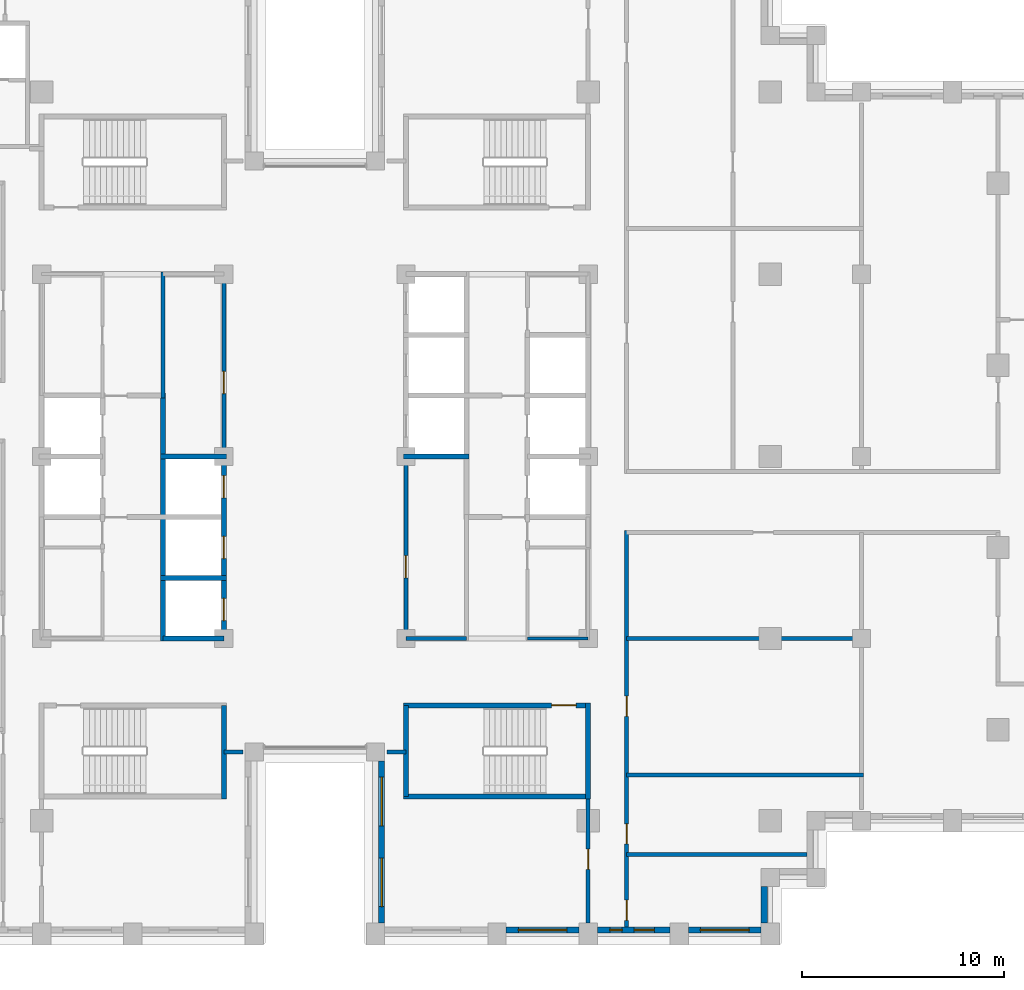
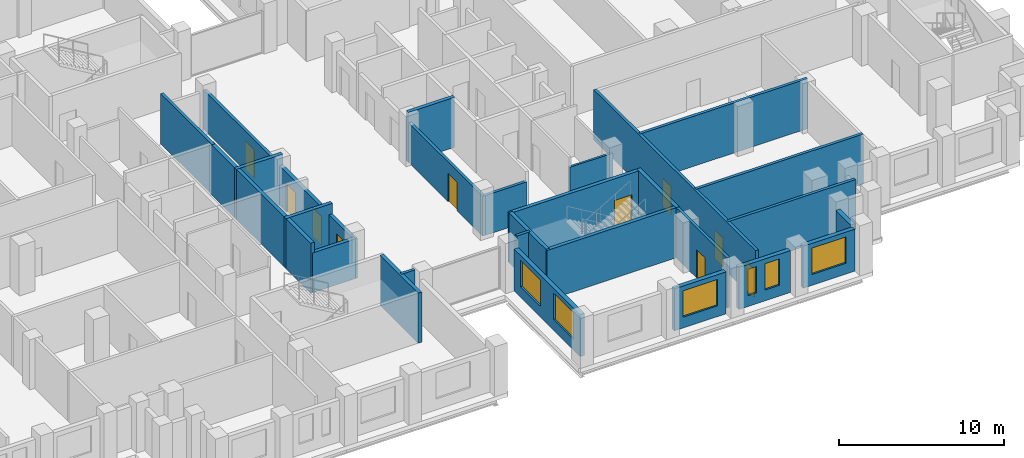
# One storey, part 8 of 15: 28 walls, 10 doors, 6 windows, 16 openings.
"""IFC4 building model written with IfcOpenShell, lengths in metres."""

from ifc_helpers import new_model, si_unit, direction, frame, frame_2d, origin, place, context, subcontext, project, spatial, rectangle, extrude, material, layer, layer_set, type_object, element, fill, save


model = new_model("IFC4")

# Units and contexts
model_context = context("Model", 3, precision=1e-05, world=origin(), true_north=direction((0.0, 1.0)))
body_context = subcontext(model_context, "Body", "Model", "MODEL_VIEW")
ifc_project = project(units=[si_unit("LENGTHUNIT", "METRE"), si_unit("AREAUNIT", "SQUARE_METRE"), si_unit("VOLUMEUNIT", "CUBIC_METRE"), si_unit("PLANEANGLEUNIT", "RADIAN"), si_unit("MASSUNIT", "GRAM", prefix="KILO")], contexts=[model_context])

# Site, building, storey
site_placement = place(None, origin())
site = spatial("IfcSite", under=ifc_project, at=site_placement, CompositionType="ELEMENT")
building_placement = place(site_placement, origin())
building = spatial("IfcBuilding", under=site, at=building_placement, Name="Corbelhall Arena Tower", CompositionType="ELEMENT")
storey_placement = place(building_placement, frame((0.0, 0.0, 162.0)))
storey = spatial("IfcBuildingStorey", under=building, at=storey_placement, Name="L32", CompositionType="ELEMENT", Elevation=162.0)

# Wall, openings, windows
ifc_material_1 = material(Name="Precast concrete C40/50 with granite facing", Category="masonry")
ifc_layer_1 = layer(ifc_material_1, 0.300048828125)
ifc_layer_set_1 = layer_set([ifc_layer_1], Name="EV-IW1 Infill panel 300")
wall_type_1 = type_object("IfcWallType", Name="EV-IW1 Infill panel 300", PredefinedType="SOLIDWALL", material=ifc_layer_set_1)
wall_1_placement = place(storey_placement, frame((3.300048828125, -15.050048828125, 0.0), z_axis=(0.0, 0.0, 1.0), x_axis=(0.0, -1.0, 0.0)))
wall_1 = element("IfcWall", 1, at=wall_1_placement, inside=storey, type_object=wall_type_1, Name="Infill panel IW1", PredefinedType="SOLIDWALL", context=body_context, shape_type="SweptSolid", body=[
    extrude(rectangle(XDim=8.0, YDim=0.300048828125, at=frame_2d((4.0, 0.0))), origin(), (0.0, 0.0, 1.0), 3.10009765625),
])
opening_1_placement = place(wall_1_placement, frame((0.800048828125, 0.0, 0.800048828125)))
opening_1 = element("IfcOpeningElement", 2, at=opening_1_placement, cuts=wall_1, Name="Opening WN1", PredefinedType="OPENING", context=body_context, shape_type="SweptSolid", body=[
    extrude(rectangle(XDim=2.39990234375, YDim=1.949951171875, at=frame_2d((1.199951171875, 0.97509765625))), frame((0.0, 0.14990234375, 0.0), z_axis=(0.0, -1.0, 0.0), x_axis=(1.0, 0.0, 0.0)), (0.0, 0.0, 1.0), 0.300048828125),
])
opening_2_placement = place(wall_1_placement, frame((4.800048828125, 0.0, 0.800048828125)))
opening_2 = element("IfcOpeningElement", 3, at=opening_2_placement, cuts=wall_1, Name="Opening WN1", PredefinedType="OPENING", context=body_context, shape_type="SweptSolid", body=[
    extrude(rectangle(XDim=2.39990234375, YDim=1.949951171875, at=frame_2d((1.199951171875, 0.97509765625))), frame((0.0, 0.14990234375, 0.0), z_axis=(0.0, -1.0, 0.0), x_axis=(1.0, 0.0, 0.0)), (0.0, 0.0, 1.0), 0.300048828125),
])
ifc_material_2 = material(Name="Aluminium black anodised", Category="aluminium")
window_type_1 = type_object("IfcWindowType", Name="EV-WN1 Office window", PartitioningType="SINGLE_PANEL", PredefinedType="WINDOW", material=ifc_material_2)
window_1_placement = place(opening_1_placement, origin())
window_1 = element("IfcWindow", 4, at=window_1_placement, inside=storey, type_object=window_type_1, Name="Window WN1", OverallHeight=1.949951171875, OverallWidth=2.39990234375, PartitioningType="SINGLE_PANEL", PredefinedType="WINDOW", context=body_context, shape_type="SweptSolid", body=[
    extrude(rectangle(XDim=2.39990234375, YDim=1.949951171875, at=frame_2d((1.199951171875, 0.97509765625))), frame((0.0, 0.030029296875, 0.0), z_axis=(0.0, -1.0, 0.0), x_axis=(1.0, 0.0, 0.0)), (0.0, 0.0, 1.0), 0.06005859375),
])
fill(opening_1, window_1)
window_2_placement = place(opening_2_placement, origin())
window_2 = element("IfcWindow", 5, at=window_2_placement, inside=storey, type_object=window_type_1, Name="Window WN1", OverallHeight=1.949951171875, OverallWidth=2.39990234375, PartitioningType="SINGLE_PANEL", PredefinedType="WINDOW", context=body_context, shape_type="SweptSolid", body=[
    extrude(rectangle(XDim=2.39990234375, YDim=1.949951171875, at=frame_2d((1.199951171875, 0.97509765625))), frame((0.0, 0.030029296875, 0.0), z_axis=(0.0, -1.0, 0.0), x_axis=(1.0, 0.0, 0.0)), (0.0, 0.0, 1.0), 0.06005859375),
])
fill(opening_2, window_2)

# Wall, opening, window
wall_2_placement = place(storey_placement, frame((9.449951171875, -23.39990234375, 0.0), z_axis=(0.0, 0.0, 1.0), x_axis=(1.0, 0.0, 0.0)))
wall_2 = element("IfcWall", 6, at=wall_2_placement, inside=storey, type_object=wall_type_1, Name="Infill panel IW1", PredefinedType="SOLIDWALL", context=body_context, shape_type="SweptSolid", body=[
    extrude(rectangle(XDim=3.60009765625, YDim=0.300048828125, at=frame_2d((1.800048828125, 0.0))), origin(), (0.0, 0.0, 1.0), 3.10009765625),
])
opening_3_placement = place(wall_2_placement, frame((0.60009765625, 0.0, 0.800048828125)))
opening_3 = element("IfcOpeningElement", 7, at=opening_3_placement, cuts=wall_2, Name="Opening WN1", PredefinedType="OPENING", context=body_context, shape_type="SweptSolid", body=[
    extrude(rectangle(XDim=2.39990234375, YDim=1.949951171875, at=frame_2d((1.199951171875, 0.97509765625))), frame((0.0, 0.14990234375, 0.0), z_axis=(0.0, -1.0, 0.0), x_axis=(1.0, 0.0, 0.0)), (0.0, 0.0, 1.0), 0.300048828125),
])
window_3_placement = place(opening_3_placement, origin())
window_3 = element("IfcWindow", 8, at=window_3_placement, inside=storey, type_object=window_type_1, Name="Window WN1", OverallHeight=1.949951171875, OverallWidth=2.39990234375, PartitioningType="SINGLE_PANEL", PredefinedType="WINDOW", context=body_context, shape_type="SweptSolid", body=[
    extrude(rectangle(XDim=2.39990234375, YDim=1.949951171875, at=frame_2d((1.199951171875, 0.97509765625))), frame((0.0, 0.030029296875, 0.0), z_axis=(0.0, -1.0, 0.0), x_axis=(1.0, 0.0, 0.0)), (0.0, 0.0, 1.0), 0.06005859375),
])
fill(opening_3, window_3)

# Wall, openings, windows
wall_3_placement = place(storey_placement, frame((13.949951171875, -23.39990234375, 0.0), z_axis=(0.0, 0.0, 1.0), x_axis=(1.0, 0.0, 0.0)))
wall_3 = element("IfcWall", 9, at=wall_3_placement, inside=storey, type_object=wall_type_1, Name="Infill panel IW1", PredefinedType="SOLIDWALL", context=body_context, shape_type="SweptSolid", body=[
    extrude(rectangle(XDim=3.60009765625, YDim=0.300048828125, at=frame_2d((1.800048828125, 0.0))), origin(), (0.0, 0.0, 1.0), 3.10009765625),
])
opening_4_placement = place(wall_3_placement, frame((0.625, 0.0, 0.800048828125)))
opening_4 = element("IfcOpeningElement", 10, at=opening_4_placement, cuts=wall_3, Name="Opening WN5", PredefinedType="OPENING", context=body_context, shape_type="SweptSolid", body=[
    extrude(rectangle(XDim=0.60009765625, YDim=1.949951171875, at=frame_2d((0.300048828125, 0.97509765625))), frame((0.0, 0.14990234375, 0.0), z_axis=(0.0, -1.0, 0.0), x_axis=(1.0, 0.0, 0.0)), (0.0, 0.0, 1.0), 0.300048828125),
])
opening_5_placement = place(wall_3_placement, frame((1.824951171875, 0.0, 0.800048828125)))
opening_5 = element("IfcOpeningElement", 11, at=opening_5_placement, cuts=wall_3, Name="Opening WN6", PredefinedType="OPENING", context=body_context, shape_type="SweptSolid", body=[
    extrude(rectangle(XDim=1.0, YDim=1.949951171875, at=frame_2d((0.5, 0.97509765625))), frame((0.0, 0.14990234375, 0.0), z_axis=(0.0, -1.0, 0.0), x_axis=(1.0, 0.0, 0.0)), (0.0, 0.0, 1.0), 0.300048828125),
])
window_type_2 = type_object("IfcWindowType", Name="EV-WN5 Office window 600", PartitioningType="SINGLE_PANEL", PredefinedType="WINDOW", material=ifc_material_2)
window_4_placement = place(opening_4_placement, origin())
window_4 = element("IfcWindow", 12, at=window_4_placement, inside=storey, type_object=window_type_2, Name="Window WN5", OverallHeight=1.949951171875, OverallWidth=0.60009765625, PartitioningType="SINGLE_PANEL", PredefinedType="WINDOW", context=body_context, shape_type="SweptSolid", body=[
    extrude(rectangle(XDim=0.60009765625, YDim=1.949951171875, at=frame_2d((0.300048828125, 0.97509765625))), frame((0.0, 0.030029296875, 0.0), z_axis=(0.0, -1.0, 0.0), x_axis=(1.0, 0.0, 0.0)), (0.0, 0.0, 1.0), 0.06005859375),
])
fill(opening_4, window_4)
window_type_3 = type_object("IfcWindowType", Name="EV-WN6 Office window 1000", PartitioningType="SINGLE_PANEL", PredefinedType="WINDOW", material=ifc_material_2)
window_5_placement = place(opening_5_placement, origin())
window_5 = element("IfcWindow", 13, at=window_5_placement, inside=storey, type_object=window_type_3, Name="Window WN6", OverallHeight=1.949951171875, OverallWidth=1.0, PartitioningType="SINGLE_PANEL", PredefinedType="WINDOW", context=body_context, shape_type="SweptSolid", body=[
    extrude(rectangle(XDim=1.0, YDim=1.949951171875, at=frame_2d((0.5, 0.97509765625))), frame((0.0, 0.030029296875, 0.0), z_axis=(0.0, -1.0, 0.0), x_axis=(1.0, 0.0, 0.0)), (0.0, 0.0, 1.0), 0.06005859375),
])
fill(opening_5, window_5)

# Wall, opening, window
wall_4_placement = place(storey_placement, frame((18.449951171875, -23.39990234375, 0.0), z_axis=(0.0, 0.0, 1.0), x_axis=(1.0, 0.0, 0.0)))
wall_4 = element("IfcWall", 14, at=wall_4_placement, inside=storey, type_object=wall_type_1, Name="Infill panel IW1", PredefinedType="SOLIDWALL", context=body_context, shape_type="SweptSolid", body=[
    extrude(rectangle(XDim=3.60009765625, YDim=0.300048828125, at=frame_2d((1.800048828125, 0.0))), origin(), (0.0, 0.0, 1.0), 3.10009765625),
])
opening_6_placement = place(wall_4_placement, frame((0.60009765625, 0.0, 0.800048828125)))
opening_6 = element("IfcOpeningElement", 15, at=opening_6_placement, cuts=wall_4, Name="Opening WN1", PredefinedType="OPENING", context=body_context, shape_type="SweptSolid", body=[
    extrude(rectangle(XDim=2.39990234375, YDim=1.949951171875, at=frame_2d((1.199951171875, 0.97509765625))), frame((0.0, 0.14990234375, 0.0), z_axis=(0.0, -1.0, 0.0), x_axis=(1.0, 0.0, 0.0)), (0.0, 0.0, 1.0), 0.300048828125),
])
window_6_placement = place(opening_6_placement, origin())
window_6 = element("IfcWindow", 16, at=window_6_placement, inside=storey, type_object=window_type_1, Name="Window WN1", OverallHeight=1.949951171875, OverallWidth=2.39990234375, PartitioningType="SINGLE_PANEL", PredefinedType="WINDOW", context=body_context, shape_type="SweptSolid", body=[
    extrude(rectangle(XDim=2.39990234375, YDim=1.949951171875, at=frame_2d((1.199951171875, 0.97509765625))), frame((0.0, 0.030029296875, 0.0), z_axis=(0.0, -1.0, 0.0), x_axis=(1.0, 0.0, 0.0)), (0.0, 0.0, 1.0), 0.06005859375),
])
fill(opening_6, window_6)

# Walls
wall_5_placement = place(storey_placement, frame((22.199951171875, -23.050048828125, 0.0), z_axis=(0.0, 0.0, 1.0), x_axis=(0.0, 1.0, 0.0)))
element("IfcWall", 17, at=wall_5_placement, inside=storey, type_object=wall_type_1, Name="Infill panel IW1", PredefinedType="SOLIDWALL", context=body_context, shape_type="SweptSolid", body=[
    extrude(rectangle(XDim=1.800048828125, YDim=0.300048828125, at=frame_2d((0.89990234375, 0.0))), origin(), (0.0, 0.0, 1.0), 3.10009765625),
])
ifc_material_3 = material(Name="Gypsum board on steel stud, acoustic", Category="steel")
ifc_layer_2 = layer(ifc_material_3, 0.199951171875)
ifc_layer_set_2 = layer_set([ifc_layer_2], Name="IN-W-DM200")
wall_type_2 = type_object("IfcWallType", Name="IN-W-DM200", PredefinedType="PARTITIONING", material=ifc_layer_set_2)
for number, where, z_axis, x_axis, name in (
    (18, (-3.550048828125, -14.60009765625, 0.0), (0.0, 0.0, 1.0), (-1.0, 0.0, 0.0), "Partition 024"),
    (19, (4.5, -14.60009765625, 0.0), (0.0, 0.0, 1.0), (-1.0, 0.0, 0.0), "Partition 026"),
):
    element("IfcWall", number, at=place(storey_placement, frame(where, z_axis=z_axis, x_axis=x_axis)), inside=storey, type_object=wall_type_2, Name=name, PredefinedType="PARTITIONING", context=body_context, shape_type="SweptSolid", body=[
        extrude(rectangle(XDim=0.949951171875, YDim=0.199951171875, at=frame_2d((0.47509765625, 0.0))), origin(), (0.0, 0.0, 1.0), 3.699951171875),
    ])

# Wall, opening, door
wall_6_placement = place(storey_placement, frame((13.5, -23.050048828125, 0.0), z_axis=(0.0, 0.0, 1.0), x_axis=(0.0, 1.0, 0.0)))
wall_6 = element("IfcWall", 20, at=wall_6_placement, inside=storey, type_object=wall_type_2, Name="Partition 027", PredefinedType="PARTITIONING", context=body_context, shape_type="SweptSolid", body=[
    extrude(rectangle(XDim=6.375, YDim=0.199951171875, at=frame_2d((3.1875, 0.0))), origin(), (0.0, 0.0, 1.0), 3.699951171875),
])
opening_7_placement = place(wall_6_placement, frame((2.64990234375, 0.0, 0.0)))
opening_7 = element("IfcOpeningElement", 21, at=opening_7_placement, cuts=wall_6, Name="Opening 09023", PredefinedType="OPENING", context=body_context, shape_type="SweptSolid", body=[
    extrude(rectangle(XDim=1.0, YDim=2.10009765625, at=frame_2d((0.5, 1.050048828125))), frame((0.0, 0.10009765625, 0.0), z_axis=(0.0, -1.0, 0.0), x_axis=(1.0, 0.0, 0.0)), (0.0, 0.0, 1.0), 0.199951171875),
])
ifc_material_4 = material(Name="Steel door set", Category="steel")
door_type_1 = type_object("IfcDoorType", Name="IN-D-SW100", OperationType="NOTDEFINED", PredefinedType="DOOR", material=ifc_material_4)
door_1_placement = place(opening_7_placement, origin())
door_1 = element("IfcDoor", 22, at=door_1_placement, inside=storey, type_object=door_type_1, Name="Door 023", OperationType="SINGLE_SWING_RIGHT", OverallHeight=2.10009765625, OverallWidth=1.0, PredefinedType="DOOR", context=body_context, shape_type="SweptSolid", body=[
    extrude(rectangle(XDim=1.0, YDim=2.10009765625, at=frame_2d((0.5, 1.050048828125))), frame((0.0, 0.02490234375, 0.0), z_axis=(0.0, -1.0, 0.0), x_axis=(1.0, 0.0, 0.0)), (0.0, 0.0, 1.0), 0.050048828125),
])
fill(opening_7, door_1)

# Wall
wall_7_placement = place(storey_placement, frame((15.39990234375, -19.675048828125, 0.0), z_axis=(0.0, 0.0, 1.0), x_axis=(1.0, 0.0, 0.0)))
element("IfcWall", 23, at=wall_7_placement, inside=storey, type_object=wall_type_2, Name="Partition 029", PredefinedType="PARTITIONING", context=body_context, shape_type="SweptSolid", body=[
    extrude(rectangle(XDim=8.900146484375, YDim=0.199951171875, at=frame_2d((4.4501953125, 0.0))), origin(), (0.0, 0.0, 1.0), 3.699951171875),
])

# Wall, openings, doors
wall_8_placement = place(storey_placement, frame((15.39990234375, -3.64990234375, 0.0), z_axis=(0.0, 0.0, 1.0), x_axis=(0.0, -1.0, 0.0)))
wall_8 = element("IfcWall", 24, at=wall_8_placement, inside=storey, type_object=wall_type_2, Name="Partition 030", PredefinedType="PARTITIONING", context=body_context, shape_type="SweptSolid", body=[
    extrude(rectangle(XDim=19.60009765625, YDim=0.199951171875, at=frame_2d((9.800048828125, 0.0))), origin(), (0.0, 0.0, 1.0), 3.699951171875),
])
opening_8_placement = place(wall_8_placement, frame((18.27490234375, 0.0, 0.0)))
opening_8 = element("IfcOpeningElement", 25, at=opening_8_placement, cuts=wall_8, Name="Opening 09035", PredefinedType="OPENING", context=body_context, shape_type="SweptSolid", body=[
    extrude(rectangle(XDim=1.0, YDim=2.10009765625, at=frame_2d((0.5, 1.050048828125))), frame((0.0, 0.10009765625, 0.0), z_axis=(0.0, -1.0, 0.0), x_axis=(1.0, 0.0, 0.0)), (0.0, 0.0, 1.0), 0.199951171875),
])
opening_9_placement = place(wall_8_placement, frame((14.5, 0.0, 0.0)))
opening_9 = element("IfcOpeningElement", 26, at=opening_9_placement, cuts=wall_8, Name="Opening 09036", PredefinedType="OPENING", context=body_context, shape_type="SweptSolid", body=[
    extrude(rectangle(XDim=1.0, YDim=2.10009765625, at=frame_2d((0.5, 1.050048828125))), frame((0.0, 0.10009765625, 0.0), z_axis=(0.0, -1.0, 0.0), x_axis=(1.0, 0.0, 0.0)), (0.0, 0.0, 1.0), 0.199951171875),
])
opening_10_placement = place(wall_8_placement, frame((8.199951171875, 0.0, 0.0)))
opening_10 = element("IfcOpeningElement", 27, at=opening_10_placement, cuts=wall_8, Name="Opening 09037", PredefinedType="OPENING", context=body_context, shape_type="SweptSolid", body=[
    extrude(rectangle(XDim=1.0, YDim=2.10009765625, at=frame_2d((0.5, 1.050048828125))), frame((0.0, 0.10009765625, 0.0), z_axis=(0.0, -1.0, 0.0), x_axis=(1.0, 0.0, 0.0)), (0.0, 0.0, 1.0), 0.199951171875),
])
door_2_placement = place(opening_8_placement, origin())
door_2 = element("IfcDoor", 28, at=door_2_placement, inside=storey, type_object=door_type_1, Name="Door 035", OperationType="SINGLE_SWING_RIGHT", OverallHeight=2.10009765625, OverallWidth=1.0, PredefinedType="DOOR", context=body_context, shape_type="SweptSolid", body=[
    extrude(rectangle(XDim=1.0, YDim=2.10009765625, at=frame_2d((0.5, 1.050048828125))), frame((0.0, 0.02490234375, 0.0), z_axis=(0.0, -1.0, 0.0), x_axis=(1.0, 0.0, 0.0)), (0.0, 0.0, 1.0), 0.050048828125),
])
fill(opening_8, door_2)
door_3_placement = place(opening_9_placement, origin())
door_3 = element("IfcDoor", 29, at=door_3_placement, inside=storey, type_object=door_type_1, Name="Door 036", OperationType="SINGLE_SWING_LEFT", OverallHeight=2.10009765625, OverallWidth=1.0, PredefinedType="DOOR", context=body_context, shape_type="SweptSolid", body=[
    extrude(rectangle(XDim=1.0, YDim=2.10009765625, at=frame_2d((0.5, 1.050048828125))), frame((0.0, 0.02490234375, 0.0), z_axis=(0.0, -1.0, 0.0), x_axis=(1.0, 0.0, 0.0)), (0.0, 0.0, 1.0), 0.050048828125),
])
fill(opening_9, door_3)
door_4_placement = place(opening_10_placement, origin())
door_4 = element("IfcDoor", 30, at=door_4_placement, inside=storey, type_object=door_type_1, Name="Door 037", OperationType="SINGLE_SWING_RIGHT", OverallHeight=2.10009765625, OverallWidth=1.0, PredefinedType="DOOR", context=body_context, shape_type="SweptSolid", body=[
    extrude(rectangle(XDim=1.0, YDim=2.10009765625, at=frame_2d((0.5, 1.050048828125))), frame((0.0, 0.02490234375, 0.0), z_axis=(0.0, -1.0, 0.0), x_axis=(1.0, 0.0, 0.0)), (0.0, 0.0, 1.0), 0.050048828125),
])
fill(opening_10, door_4)

# Walls
for number, where, z_axis, x_axis, name in (
    (31, (15.39990234375, -15.75, 0.0), (0.0, 0.0, 1.0), (1.0, 0.0, 0.0), "Partition 031"),
    (32, (15.39990234375, -9.0, 0.0), (0.0, 0.0, 1.0), (1.0, 0.0, 0.0), "Partition 032"),
):
    element("IfcWall", number, at=place(storey_placement, frame(where, z_axis=z_axis, x_axis=x_axis)), inside=storey, type_object=wall_type_2, Name=name, PredefinedType="PARTITIONING", context=body_context, shape_type="SweptSolid", body=[
        extrude(rectangle(XDim=11.7001953125, YDim=0.199951171875, at=frame_2d((5.85009765625, 0.0))), origin(), (0.0, 0.0, 1.0), 3.699951171875),
    ])
ifc_material_5 = material(Name="Concrete block wall", Category="concrete")
ifc_layer_3 = layer(ifc_material_5, 0.199951171875)
ifc_layer_set_3 = layer_set([ifc_layer_3], Name="IN-W-RS200")
wall_type_3 = type_object("IfcWallType", Name="IN-W-RS200", PredefinedType="SOLIDWALL", material=ifc_layer_set_3)
wall_9_placement = place(storey_placement, frame((-7.5, 2.875, 0.0), z_axis=(0.0, 0.0, 1.0), x_axis=(0.0, 1.0, 0.0)))
element("IfcWall", 33, at=wall_9_placement, inside=storey, type_object=wall_type_3, Name="Partition 046", PredefinedType="SOLIDWALL", context=body_context, shape_type="SweptSolid", body=[
    extrude(rectangle(XDim=6.22509765625, YDim=0.199951171875, at=frame_2d((3.112548828125, 0.0))), origin(), (0.0, 0.0, 1.0), 3.699951171875),
])

# Wall, opening, door
ifc_layer_4 = layer(ifc_material_5, 0.199951171875)
ifc_layer_set_4 = layer_set([ifc_layer_4], Name="IN-W-RS200 under beam 762 mm")
wall_type_4 = type_object("IfcWallType", Name="IN-W-RS200 under beam 762 mm", PredefinedType="SOLIDWALL", material=ifc_layer_set_4)
wall_10_placement = place(storey_placement, frame((-4.5, 9.10009765625, 0.0), z_axis=(0.0, 0.0, 1.0), x_axis=(0.0, -1.0, 0.0)))
wall_10 = element("IfcWall", 34, at=wall_10_placement, inside=storey, type_object=wall_type_4, Name="Partition 048", PredefinedType="SOLIDWALL", context=body_context, shape_type="SweptSolid", body=[
    extrude(rectangle(XDim=9.10009765625, YDim=0.199951171875, at=frame_2d((4.550048828125, 0.0))), origin(), (0.0, 0.0, 1.0), 2.93798828125),
])
opening_11_placement = place(wall_10_placement, frame((4.89990234375, 0.0, 0.0)))
opening_11 = element("IfcOpeningElement", 35, at=opening_11_placement, cuts=wall_10, Name="Opening 09001", PredefinedType="OPENING", context=body_context, shape_type="SweptSolid", body=[
    extrude(rectangle(XDim=1.10009765625, YDim=2.10009765625, at=frame_2d((0.550048828125, 1.050048828125))), frame((0.0, 0.10009765625, 0.0), z_axis=(0.0, -1.0, 0.0), x_axis=(1.0, 0.0, 0.0)), (0.0, 0.0, 1.0), 0.199951171875),
])
door_type_2 = type_object("IfcDoorType", Name="IN-D-FD110", OperationType="NOTDEFINED", PredefinedType="DOOR", material=ifc_material_4)
door_5_placement = place(opening_11_placement, origin())
door_5 = element("IfcDoor", 36, at=door_5_placement, inside=storey, type_object=door_type_2, Name="Door 001", OperationType="SINGLE_SWING_RIGHT", OverallHeight=2.10009765625, OverallWidth=1.10009765625, PredefinedType="DOOR", context=body_context, shape_type="SweptSolid", body=[
    extrude(rectangle(XDim=1.10009765625, YDim=2.10009765625, at=frame_2d((0.550048828125, 1.050048828125))), frame((0.0, 0.02490234375, 0.0), z_axis=(0.0, -1.0, 0.0), x_axis=(1.0, 0.0, 0.0)), (0.0, 0.0, 1.0), 0.050048828125),
])
fill(opening_11, door_5)

wall_11_placement = place(storey_placement, frame((4.5, -9.10009765625, 0.0), z_axis=(0.0, 0.0, 1.0), x_axis=(0.0, 1.0, 0.0)))
wall_11 = element("IfcWall", 37, at=wall_11_placement, inside=storey, type_object=wall_type_4, Name="Partition 049", PredefinedType="SOLIDWALL", context=body_context, shape_type="SweptSolid", body=[
    extrude(rectangle(XDim=9.10009765625, YDim=0.199951171875, at=frame_2d((4.550048828125, 0.0))), origin(), (0.0, 0.0, 1.0), 2.93798828125),
])
opening_12_placement = place(wall_11_placement, frame((3.10009765625, 0.0, 0.0)))
opening_12 = element("IfcOpeningElement", 38, at=opening_12_placement, cuts=wall_11, Name="Opening 09007", PredefinedType="OPENING", context=body_context, shape_type="SweptSolid", body=[
    extrude(rectangle(XDim=1.10009765625, YDim=2.10009765625, at=frame_2d((0.550048828125, 1.050048828125))), frame((0.0, 0.10009765625, 0.0), z_axis=(0.0, -1.0, 0.0), x_axis=(1.0, 0.0, 0.0)), (0.0, 0.0, 1.0), 0.199951171875),
])
door_6_placement = place(opening_12_placement, origin())
door_6 = element("IfcDoor", 39, at=door_6_placement, inside=storey, type_object=door_type_2, Name="Door 007", OperationType="SINGLE_SWING_RIGHT", OverallHeight=2.10009765625, OverallWidth=1.10009765625, PredefinedType="DOOR", context=body_context, shape_type="SweptSolid", body=[
    extrude(rectangle(XDim=1.10009765625, YDim=2.10009765625, at=frame_2d((0.550048828125, 1.050048828125))), frame((0.0, 0.02490234375, 0.0), z_axis=(0.0, -1.0, 0.0), x_axis=(1.0, 0.0, 0.0)), (0.0, 0.0, 1.0), 0.050048828125),
])
fill(opening_12, door_6)

# Walls
wall_12_placement = place(storey_placement, frame((7.5, -9.0, 0.0), z_axis=(0.0, 0.0, 1.0), x_axis=(-1.0, 0.0, 0.0)))
element("IfcWall", 40, at=wall_12_placement, inside=storey, type_object=wall_type_4, Name="Partition 050", PredefinedType="SOLIDWALL", context=body_context, shape_type="SweptSolid", body=[
    extrude(rectangle(XDim=3.0, YDim=0.199951171875, at=frame_2d((1.5, 0.0))), origin(), (0.0, 0.0, 1.0), 2.93798828125),
])
ifc_material_6 = material(Name="Concrete C40/50", Category="concrete")
ifc_layer_5 = layer(ifc_material_6, 0.25)
ifc_layer_set_5 = layer_set([ifc_layer_5], Name="IN-W-SH250")
wall_type_5 = type_object("IfcWallType", Name="IN-W-SH250", PredefinedType="SOLIDWALL", material=ifc_layer_set_5)
for number, where, z_axis, x_axis, name in (
    (41, (-7.625, -6.0, 0.0), (0.0, 0.0, 1.0), (1.0, 0.0, 0.0), "Shaft wall 062"),
    (42, (-7.625, 0.0, 0.0), (0.0, 0.0, 1.0), (1.0, 0.0, 0.0), "Shaft wall 063"),
):
    element("IfcWall", number, at=place(storey_placement, frame(where, z_axis=z_axis, x_axis=x_axis)), inside=storey, type_object=wall_type_5, Name=name, PredefinedType="SOLIDWALL", context=body_context, shape_type="SweptSolid", body=[
        extrude(rectangle(XDim=3.25, YDim=0.25, at=frame_2d((1.625, 0.0))), origin(), (0.0, 0.0, 1.0), 3.699951171875),
    ])
wall_13_placement = place(storey_placement, frame((-7.5, -9.125, 0.0), z_axis=(0.0, 0.0, 1.0), x_axis=(0.0, 1.0, 0.0)))
element("IfcWall", 43, at=wall_13_placement, inside=storey, type_object=wall_type_5, Name="Shaft wall 064", PredefinedType="SOLIDWALL", context=body_context, shape_type="SweptSolid", body=[
    extrude(rectangle(XDim=12.25, YDim=0.25, at=frame_2d((6.125, 0.0))), origin(), (0.0, 0.0, 1.0), 3.699951171875),
])
wall_14_placement = place(storey_placement, frame((4.375, 0.0, 0.0), z_axis=(0.0, 0.0, 1.0), x_axis=(1.0, 0.0, 0.0)))
element("IfcWall", 44, at=wall_14_placement, inside=storey, type_object=wall_type_5, Name="Shaft wall 067", PredefinedType="SOLIDWALL", context=body_context, shape_type="SweptSolid", body=[
    extrude(rectangle(XDim=3.25, YDim=0.25, at=frame_2d((1.625, 0.0))), origin(), (0.0, 0.0, 1.0), 3.699951171875),
])
ifc_layer_6 = layer(ifc_material_6, 0.25)
ifc_layer_set_6 = layer_set([ifc_layer_6], Name="IN-W-SH250 under beam 762 mm")
wall_type_6 = type_object("IfcWallType", Name="IN-W-SH250 under beam 762 mm", PredefinedType="SOLIDWALL", material=ifc_layer_set_6)
wall_15_placement = place(storey_placement, frame((-4.5, -9.0, 0.0), z_axis=(0.0, 0.0, 1.0), x_axis=(-1.0, 0.0, 0.0)))
element("IfcWall", 45, at=wall_15_placement, inside=storey, type_object=wall_type_6, Name="Shaft wall 065", PredefinedType="SOLIDWALL", context=body_context, shape_type="SweptSolid", body=[
    extrude(rectangle(XDim=3.0, YDim=0.25, at=frame_2d((1.5, 0.0))), origin(), (0.0, 0.0, 1.0), 2.93798828125),
])

# Wall, openings, doors
wall_16_placement = place(storey_placement, frame((-4.5, 0.0, 0.0), z_axis=(0.0, 0.0, 1.0), x_axis=(0.0, -1.0, 0.0)))
wall_16 = element("IfcWall", 46, at=wall_16_placement, inside=storey, type_object=wall_type_6, Name="Shaft wall 066", PredefinedType="SOLIDWALL", context=body_context, shape_type="SweptSolid", body=[
    extrude(rectangle(XDim=9.125, YDim=0.25, at=frame_2d((4.5625, 0.0))), origin(), (0.0, 0.0, 1.0), 2.93798828125),
])
opening_13_placement = place(wall_16_placement, frame((7.012451171875, 0.0, 0.0)))
opening_13 = element("IfcOpeningElement", 47, at=opening_13_placement, cuts=wall_16, Name="Opening LD", PredefinedType="OPENING", context=body_context, shape_type="SweptSolid", body=[
    extrude(rectangle(XDim=1.10009765625, YDim=2.10009765625, at=frame_2d((0.550048828125, 1.050048828125))), frame((0.0, 0.125, 0.0), z_axis=(0.0, -1.0, 0.0), x_axis=(1.0, 0.0, 0.0)), (0.0, 0.0, 1.0), 0.25),
])
opening_14_placement = place(wall_16_placement, frame((3.949951171875, 0.0, 0.0)))
opening_14 = element("IfcOpeningElement", 48, at=opening_14_placement, cuts=wall_16, Name="Opening LD", PredefinedType="OPENING", context=body_context, shape_type="SweptSolid", body=[
    extrude(rectangle(XDim=1.10009765625, YDim=2.10009765625, at=frame_2d((0.550048828125, 1.050048828125))), frame((0.0, 0.125, 0.0), z_axis=(0.0, -1.0, 0.0), x_axis=(1.0, 0.0, 0.0)), (0.0, 0.0, 1.0), 0.25),
])
opening_15_placement = place(wall_16_placement, frame((0.949951171875, 0.0, 0.0)))
opening_15 = element("IfcOpeningElement", 49, at=opening_15_placement, cuts=wall_16, Name="Opening LD", PredefinedType="OPENING", context=body_context, shape_type="SweptSolid", body=[
    extrude(rectangle(XDim=1.10009765625, YDim=2.10009765625, at=frame_2d((0.550048828125, 1.050048828125))), frame((0.0, 0.125, 0.0), z_axis=(0.0, -1.0, 0.0), x_axis=(1.0, 0.0, 0.0)), (0.0, 0.0, 1.0), 0.25),
])
door_type_3 = type_object("IfcDoorType", Name="IN-D-LD110", OperationType="NOTDEFINED", PredefinedType="DOOR", material=ifc_material_4)
door_7_placement = place(opening_13_placement, origin())
door_7 = element("IfcDoor", 50, at=door_7_placement, inside=storey, type_object=door_type_3, Name="Landing door W1", OperationType="SLIDING_TO_LEFT", OverallHeight=2.10009765625, OverallWidth=1.10009765625, PredefinedType="DOOR", context=body_context, shape_type="SweptSolid", body=[
    extrude(rectangle(XDim=1.10009765625, YDim=2.10009765625, at=frame_2d((0.550048828125, 1.050048828125))), frame((0.0, 0.02490234375, 0.0), z_axis=(0.0, -1.0, 0.0), x_axis=(1.0, 0.0, 0.0)), (0.0, 0.0, 1.0), 0.050048828125),
])
fill(opening_13, door_7)
door_8_placement = place(opening_14_placement, origin())
door_8 = element("IfcDoor", 51, at=door_8_placement, inside=storey, type_object=door_type_3, Name="Landing door W2", OperationType="SLIDING_TO_LEFT", OverallHeight=2.10009765625, OverallWidth=1.10009765625, PredefinedType="DOOR", context=body_context, shape_type="SweptSolid", body=[
    extrude(rectangle(XDim=1.10009765625, YDim=2.10009765625, at=frame_2d((0.550048828125, 1.050048828125))), frame((0.0, 0.02490234375, 0.0), z_axis=(0.0, -1.0, 0.0), x_axis=(1.0, 0.0, 0.0)), (0.0, 0.0, 1.0), 0.050048828125),
])
fill(opening_14, door_8)
door_9_placement = place(opening_15_placement, origin())
door_9 = element("IfcDoor", 52, at=door_9_placement, inside=storey, type_object=door_type_3, Name="Landing door W3", OperationType="SLIDING_TO_LEFT", OverallHeight=2.10009765625, OverallWidth=1.10009765625, PredefinedType="DOOR", context=body_context, shape_type="SweptSolid", body=[
    extrude(rectangle(XDim=1.10009765625, YDim=2.10009765625, at=frame_2d((0.550048828125, 1.050048828125))), frame((0.0, 0.02490234375, 0.0), z_axis=(0.0, -1.0, 0.0), x_axis=(1.0, 0.0, 0.0)), (0.0, 0.0, 1.0), 0.050048828125),
])
fill(opening_15, door_9)

# Walls
ifc_layer_7 = layer(ifc_material_6, 0.25)
ifc_layer_set_7 = layer_set([ifc_layer_7], Name="IN-W-ST250")
wall_type_7 = type_object("IfcWallType", Name="IN-W-ST250", PredefinedType="SOLIDWALL", material=ifc_layer_set_7)
wall_17_placement = place(storey_placement, frame((-4.5, -12.300048828125, 0.0), z_axis=(0.0, 0.0, 1.0), x_axis=(0.0, -1.0, 0.0)))
element("IfcWall", 53, at=wall_17_placement, inside=storey, type_object=wall_type_7, Name="Shaft wall 089", PredefinedType="SOLIDWALL", context=body_context, shape_type="SweptSolid", body=[
    extrude(rectangle(XDim=4.625, YDim=0.25, at=frame_2d((2.3125, 0.0))), origin(), (0.0, 0.0, 1.0), 3.699951171875),
])
wall_18_placement = place(storey_placement, frame((4.5, -16.800048828125, 0.0), z_axis=(0.0, 0.0, 1.0), x_axis=(0.0, 1.0, 0.0)))
element("IfcWall", 54, at=wall_18_placement, inside=storey, type_object=wall_type_7, Name="Shaft wall 094", PredefinedType="SOLIDWALL", context=body_context, shape_type="SweptSolid", body=[
    extrude(rectangle(XDim=4.5, YDim=0.25, at=frame_2d((2.25, 0.0))), origin(), (0.0, 0.0, 1.0), 3.699951171875),
])
wall_19_placement = place(storey_placement, frame((13.5, -16.925048828125, 0.0), z_axis=(0.0, 0.0, 1.0), x_axis=(0.0, 1.0, 0.0)))
element("IfcWall", 55, at=wall_19_placement, inside=storey, type_object=wall_type_7, Name="Shaft wall 096", PredefinedType="SOLIDWALL", context=body_context, shape_type="SweptSolid", body=[
    extrude(rectangle(XDim=4.75, YDim=0.25, at=frame_2d((2.375, 0.0))), origin(), (0.0, 0.0, 1.0), 3.699951171875),
])
wall_20_placement = place(storey_placement, frame((13.5, -16.800048828125, 0.0), z_axis=(0.0, 0.0, 1.0), x_axis=(-1.0, 0.0, 0.0)))
element("IfcWall", 56, at=wall_20_placement, inside=storey, type_object=wall_type_7, Name="Shaft wall 097", PredefinedType="SOLIDWALL", context=body_context, shape_type="SweptSolid", body=[
    extrude(rectangle(XDim=9.125, YDim=0.25, at=frame_2d((4.5625, 0.0))), origin(), (0.0, 0.0, 1.0), 3.699951171875),
])

# Wall, opening, door
wall_21_placement = place(storey_placement, frame((13.5, -12.300048828125, 0.0), z_axis=(0.0, 0.0, 1.0), x_axis=(-1.0, 0.0, 0.0)))
wall_21 = element("IfcWall", 57, at=wall_21_placement, inside=storey, type_object=wall_type_7, Name="Shaft wall 098", PredefinedType="SOLIDWALL", context=body_context, shape_type="SweptSolid", body=[
    extrude(rectangle(XDim=9.125, YDim=0.25, at=frame_2d((4.5625, 0.0))), origin(), (0.0, 0.0, 1.0), 3.699951171875),
])
opening_16_placement = place(wall_21_placement, frame((0.60009765625, 0.0, 0.0)))
opening_16 = element("IfcOpeningElement", 58, at=opening_16_placement, cuts=wall_21, Name="Opening 09015", PredefinedType="OPENING", context=body_context, shape_type="SweptSolid", body=[
    extrude(rectangle(XDim=1.199951171875, YDim=2.10009765625, at=frame_2d((0.60009765625, 1.050048828125))), frame((0.0, 0.125, 0.0), z_axis=(0.0, -1.0, 0.0), x_axis=(1.0, 0.0, 0.0)), (0.0, 0.0, 1.0), 0.25),
])
door_type_4 = type_object("IfcDoorType", Name="IN-D-ST120", OperationType="NOTDEFINED", PredefinedType="DOOR", material=ifc_material_4)
door_10_placement = place(opening_16_placement, origin())
door_10 = element("IfcDoor", 59, at=door_10_placement, inside=storey, type_object=door_type_4, Name="Door 015", OperationType="SINGLE_SWING_RIGHT", OverallHeight=2.10009765625, OverallWidth=1.199951171875, PredefinedType="DOOR", context=body_context, shape_type="SweptSolid", body=[
    extrude(rectangle(XDim=1.199951171875, YDim=2.10009765625, at=frame_2d((0.60009765625, 1.050048828125))), frame((0.0, 0.02490234375, 0.0), z_axis=(0.0, -1.0, 0.0), x_axis=(1.0, 0.0, 0.0)), (0.0, 0.0, 1.0), 0.050048828125),
])
fill(opening_16, door_10)

# Wall
ifc_material_7 = material(Name="Gypsum board on steel stud, moisture resistant", Category="steel")
ifc_layer_8 = layer(ifc_material_7, 0.14990234375)
ifc_layer_set_8 = layer_set([ifc_layer_8], Name="IN-W-WC150 under beam 762 mm")
wall_type_8 = type_object("IfcWallType", Name="IN-W-WC150 under beam 762 mm", PredefinedType="PARTITIONING", material=ifc_layer_set_8)
wall_22_placement = place(storey_placement, frame((13.5, -9.0, 0.0), z_axis=(0.0, 0.0, 1.0), x_axis=(-1.0, 0.0, 0.0)))
element("IfcWall", 60, at=wall_22_placement, inside=storey, type_object=wall_type_8, Name="Partition 115", PredefinedType="PARTITIONING", context=body_context, shape_type="SweptSolid", body=[
    extrude(rectangle(XDim=3.0, YDim=0.14990234375, at=frame_2d((1.5, 0.0))), origin(), (0.0, 0.0, 1.0), 2.93798828125),
])

save(model, "model.ifc")
